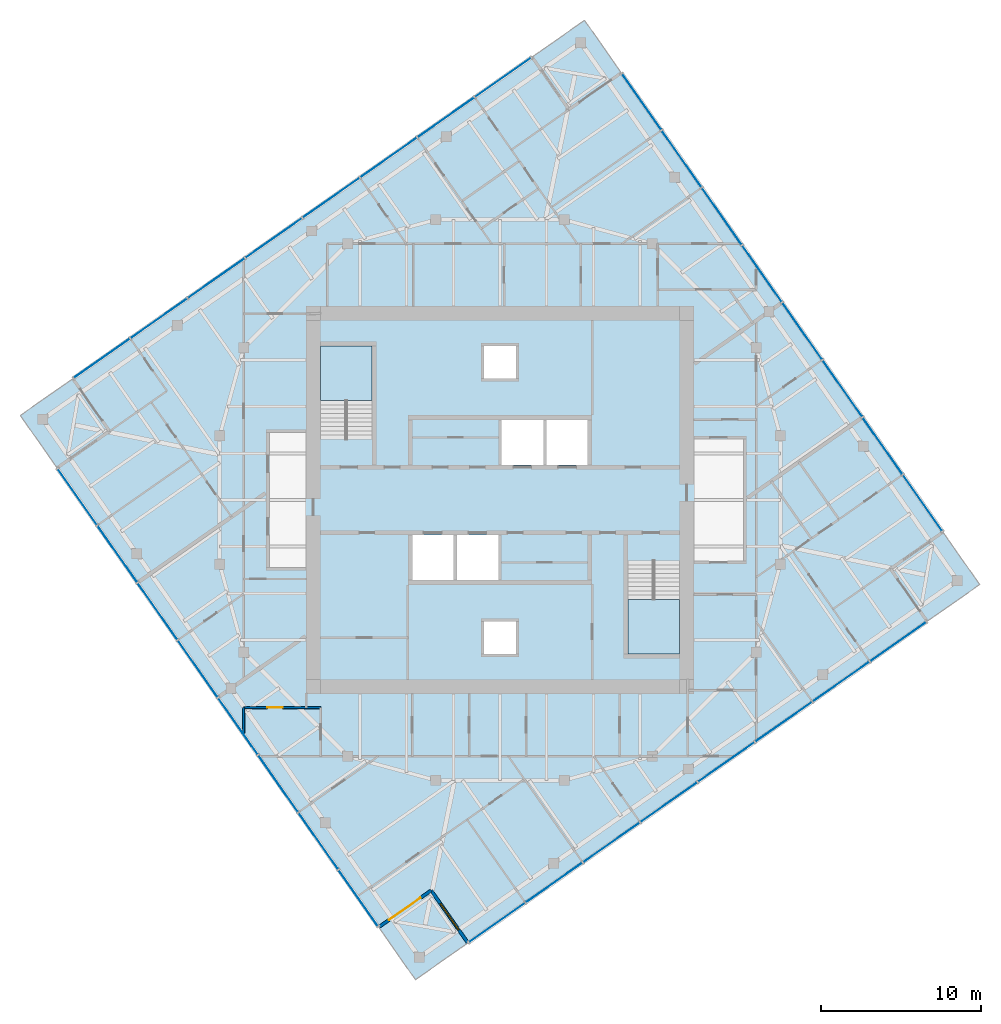
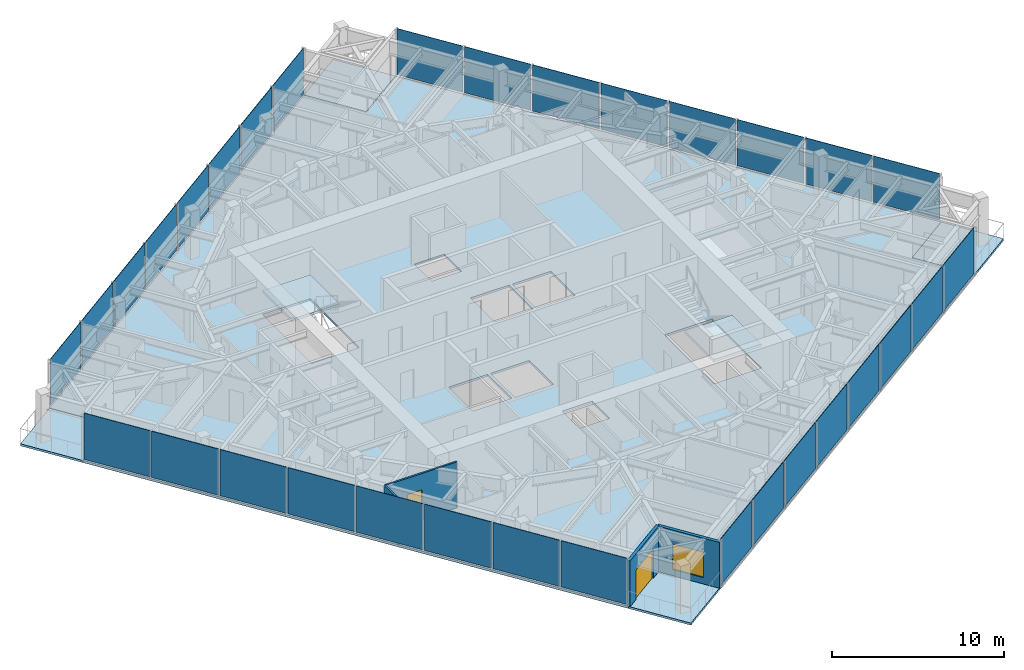
# One storey, part 6 of 12: 32 plates, 7 slabs, 4 walls, 2 doors, 1 window, 3 openings, 6 elements without a shape of their own.
"""IFC4 building model written with IfcOpenShell, lengths in metres."""

from ifc_helpers import new_model, si_unit, direction, frame, frame_2d, origin, origin_2d, place, context, subcontext, project, spatial, polyline, rectangle, outline, extrude, material, layer, layer_set, type_object, element, fill, aggregate, save


model = new_model("IFC4")

# Units and contexts
model_context = context("Model", 3, precision=1e-05, world=origin(), true_north=direction((0.0, 1.0)))
body_context = subcontext(model_context, "Body", "Model", "MODEL_VIEW")
ifc_project = project(units=[si_unit("LENGTHUNIT", "METRE"), si_unit("AREAUNIT", "SQUARE_METRE"), si_unit("VOLUMEUNIT", "CUBIC_METRE"), si_unit("PLANEANGLEUNIT", "RADIAN"), si_unit("MASSUNIT", "GRAM", prefix="KILO")], contexts=[model_context])

# Site, building, storey
site_placement = place(None, origin())
site = spatial("IfcSite", under=ifc_project, at=site_placement, CompositionType="ELEMENT")
building_placement = place(site_placement, origin())
building = spatial("IfcBuilding", under=site, at=building_placement, Name="Torsade Residences", CompositionType="ELEMENT")
storey_placement = place(building_placement, frame((0.0, 0.0, 257.39990234375)))
storey = spatial("IfcBuildingStorey", under=building, at=storey_placement, Name="L71", CompositionType="ELEMENT", Elevation=257.39990234375)

# Slab
ifc_material_1 = material(Name="Concrete 40 MPa", Category="concrete")
ifc_layer_1 = layer(ifc_material_1, 0.14990234375)
ifc_layer_set_1 = layer_set([ifc_layer_1], Name="Concrete 40 MPa")
slab_type_1 = type_object("IfcSlabType", Name="COMPOSITE FLOOR SLAB 150", PredefinedType="FLOOR", material=ifc_layer_set_1)
slab_1_placement = place(storey_placement, frame((0.0, 0.0, -0.14990234375)))
element("IfcSlab", 1, at=slab_1_placement, inside=storey, type_object=slab_type_1, Name="Floor slab L71", PredefinedType="FLOOR", context=body_context, shape_type="SweptSolid", body=[
    extrude(outline(polyline([(37.996826171875, 2.3505859375), (66.6669921875, 22.42578125), (64.372802734375, 25.702392578125), (67.6494140625, 27.996826171875), (47.57421875, 56.6669921875), (44.297607421875, 54.372802734375), (42.003173828125, 57.6494140625), (13.3330078125, 37.57421875), (15.627197265625, 34.297607421875), (12.3505859375, 32.003173828125), (32.42578125, 3.3330078125), (35.702392578125, 5.627197265625), (37.996826171875, 2.3505859375)]), holes=[polyline([(51.199951171875, 26.1201171875), (48.0, 26.1201171875), (48.0, 20.39990234375), (51.199951171875, 20.39990234375), (51.199951171875, 26.1201171875)]), polyline([(45.5, 35.0), (42.89990234375, 35.0), (42.89990234375, 32.199951171875), (45.5, 32.199951171875), (45.5, 35.0)]), polyline([(42.699951171875, 35.0), (40.10009765625, 35.0), (40.10009765625, 32.199951171875), (42.699951171875, 32.199951171875), (42.699951171875, 35.0)]), polyline([(41.0, 22.39990234375), (39.0, 22.39990234375), (39.0, 20.39990234375), (41.0, 20.39990234375), (41.0, 22.39990234375)]), polyline([(41.0, 39.60009765625), (39.0, 39.60009765625), (39.0, 37.60009765625), (41.0, 37.60009765625), (41.0, 39.60009765625)]), polyline([(39.89990234375, 27.800048828125), (37.300048828125, 27.800048828125), (37.300048828125, 25.0), (39.89990234375, 25.0), (39.89990234375, 27.800048828125)]), polyline([(37.10009765625, 27.800048828125), (34.5, 27.800048828125), (34.5, 25.0), (37.10009765625, 25.0), (37.10009765625, 27.800048828125)]), polyline([(32.0, 39.60009765625), (28.800048828125, 39.60009765625), (28.800048828125, 33.8798828125), (32.0, 33.8798828125), (32.0, 39.60009765625)])]), origin(), (0.0, 0.0, 1.0), 0.14990234375),
])

# Curtain wall, plates
ifc_material_2 = material(Name="Aluminium and glass", Category="aluminium")
curtain_wall_type = type_object("IfcCurtainWallType", Name="FRITTED GLASS CURTAIN WALL HIGH ZONE", PredefinedType="NOTDEFINED", material=ifc_material_2)
curtain_wall_1_placement = place(storey_placement, origin())
curtain_wall_1 = element("IfcCurtainWall", 2, at=curtain_wall_1_placement, inside=storey, type_object=curtain_wall_type, Name="Curtain wall L71 face 1", PredefinedType="NOTDEFINED")
ifc_material_3 = material(Name="Laminated glass", Category="glass")
ifc_layer_2 = layer(ifc_material_3, 0.031982421875)
ifc_layer_set_2 = layer_set([ifc_layer_2], Name="Laminated glass")
plate_type_1 = type_object("IfcPlateType", Name="FRITTED GLASS PANEL", PredefinedType="CURTAIN_PANEL", material=ifc_layer_set_2)
plate_1_placement = place(storey_placement, frame((39.80908203125, 3.61962890625, 0.1201171875), z_axis=(0.0, 0.0, 1.0), x_axis=(0.819152029353, 0.573576457682, 0.0)))
plate_1 = element("IfcPlate", 3, at=plate_1_placement, type_object=plate_type_1, Name="Panel 1", PredefinedType="CURTAIN_PANEL", context=body_context, shape_type="SweptSolid", body=[
    extrude(rectangle(XDim=4.22509765625, YDim=0.031982421875, at=origin_2d()), origin(), (0.0, 0.0, 1.0), 3.280029296875),
])
plate_2_placement = place(storey_placement, frame((46.956298828125, 8.6240234375, 0.1201171875), z_axis=(0.0, 0.0, 1.0), x_axis=(0.819152029353, 0.573576457682, 0.0)))
plate_2 = element("IfcPlate", 4, at=plate_2_placement, type_object=plate_type_1, Name="Panel 3", PredefinedType="CURTAIN_PANEL", context=body_context, shape_type="SweptSolid", body=[
    extrude(rectangle(XDim=4.27490234375, YDim=0.031982421875, at=origin_2d()), origin(), (0.0, 0.0, 1.0), 3.280029296875),
])
plate_3_placement = place(storey_placement, frame((50.5400390625, 11.133544921875, 0.1201171875), z_axis=(0.0, 0.0, 1.0), x_axis=(0.819152029353, 0.573576457682, 0.0)))
plate_3 = element("IfcPlate", 5, at=plate_3_placement, type_object=plate_type_1, Name="Panel 4", PredefinedType="CURTAIN_PANEL", context=body_context, shape_type="SweptSolid", body=[
    extrude(rectangle(XDim=4.27490234375, YDim=0.031982421875, at=origin_2d()), origin(), (0.0, 0.0, 1.0), 3.280029296875),
])
plate_4_placement = place(storey_placement, frame((54.123779296875, 13.642822265625, 0.1201171875), z_axis=(0.0, 0.0, 1.0), x_axis=(0.819152029353, 0.573576457682, 0.0)))
plate_4 = element("IfcPlate", 6, at=plate_4_placement, type_object=plate_type_1, Name="Panel 5", PredefinedType="CURTAIN_PANEL", context=body_context, shape_type="SweptSolid", body=[
    extrude(rectangle(XDim=4.27490234375, YDim=0.031982421875, at=origin_2d()), origin(), (0.0, 0.0, 1.0), 3.280029296875),
])
plate_5_placement = place(storey_placement, frame((61.291259765625, 18.66162109375, 0.1201171875), z_axis=(0.0, 0.0, 1.0), x_axis=(0.819152029353, 0.573576457682, 0.0)))
plate_5 = element("IfcPlate", 7, at=plate_5_placement, type_object=plate_type_1, Name="Panel 7", PredefinedType="CURTAIN_PANEL", context=body_context, shape_type="SweptSolid", body=[
    extrude(rectangle(XDim=4.27490234375, YDim=0.031982421875, at=origin_2d()), origin(), (0.0, 0.0, 1.0), 3.280029296875),
])
plate_6_placement = place(storey_placement, frame((64.854736328125, 21.15673828125, 0.1201171875), z_axis=(0.0, 0.0, 1.0), x_axis=(0.819152029353, 0.573576457682, 0.0)))
plate_6 = element("IfcPlate", 8, at=plate_6_placement, type_object=plate_type_1, Name="Panel 8", PredefinedType="CURTAIN_PANEL", context=body_context, shape_type="SweptSolid", body=[
    extrude(rectangle(XDim=4.22509765625, YDim=0.031982421875, at=origin_2d()), origin(), (0.0, 0.0, 1.0), 3.280029296875),
])

curtain_wall_2_placement = place(storey_placement, origin())
curtain_wall_2 = element("IfcCurtainWall", 9, at=curtain_wall_2_placement, inside=storey, type_object=curtain_wall_type, Name="Curtain wall L71 face 4", PredefinedType="NOTDEFINED")
plate_7_placement = place(storey_placement, frame((66.38037109375, 29.80908203125, 0.1201171875), z_axis=(0.0, 0.0, 1.0), x_axis=(-0.573576457682, 0.819152029353, 0.0)))
plate_7 = element("IfcPlate", 10, at=plate_7_placement, type_object=plate_type_1, Name="Panel 1", PredefinedType="CURTAIN_PANEL", context=body_context, shape_type="SweptSolid", body=[
    extrude(rectangle(XDim=4.22509765625, YDim=0.031982421875, at=origin_2d()), origin(), (0.0, 0.0, 1.0), 3.280029296875),
])
plate_8_placement = place(storey_placement, frame((61.3759765625, 36.956298828125, 0.1201171875), z_axis=(0.0, 0.0, 1.0), x_axis=(-0.573576457682, 0.819152029353, 0.0)))
plate_8 = element("IfcPlate", 11, at=plate_8_placement, type_object=plate_type_1, Name="Panel 3", PredefinedType="CURTAIN_PANEL", context=body_context, shape_type="SweptSolid", body=[
    extrude(rectangle(XDim=4.27490234375, YDim=0.031982421875, at=origin_2d()), origin(), (0.0, 0.0, 1.0), 3.280029296875),
])
plate_9_placement = place(storey_placement, frame((58.866455078125, 40.5400390625, 0.1201171875), z_axis=(0.0, 0.0, 1.0), x_axis=(-0.573576457682, 0.819152029353, 0.0)))
plate_9 = element("IfcPlate", 12, at=plate_9_placement, type_object=plate_type_1, Name="Panel 4", PredefinedType="CURTAIN_PANEL", context=body_context, shape_type="SweptSolid", body=[
    extrude(rectangle(XDim=4.27490234375, YDim=0.031982421875, at=origin_2d()), origin(), (0.0, 0.0, 1.0), 3.280029296875),
])
plate_10_placement = place(storey_placement, frame((56.357177734375, 44.123779296875, 0.1201171875), z_axis=(0.0, 0.0, 1.0), x_axis=(-0.573576457682, 0.819152029353, 0.0)))
plate_10 = element("IfcPlate", 13, at=plate_10_placement, type_object=plate_type_1, Name="Panel 5", PredefinedType="CURTAIN_PANEL", context=body_context, shape_type="SweptSolid", body=[
    extrude(rectangle(XDim=4.27490234375, YDim=0.031982421875, at=origin_2d()), origin(), (0.0, 0.0, 1.0), 3.280029296875),
])
plate_11_placement = place(storey_placement, frame((51.33837890625, 51.291259765625, 0.1201171875), z_axis=(0.0, 0.0, 1.0), x_axis=(-0.573576457682, 0.819152029353, 0.0)))
plate_11 = element("IfcPlate", 14, at=plate_11_placement, type_object=plate_type_1, Name="Panel 7", PredefinedType="CURTAIN_PANEL", context=body_context, shape_type="SweptSolid", body=[
    extrude(rectangle(XDim=4.27490234375, YDim=0.031982421875, at=origin_2d()), origin(), (0.0, 0.0, 1.0), 3.280029296875),
])
plate_12_placement = place(storey_placement, frame((48.84326171875, 54.854736328125, 0.1201171875), z_axis=(0.0, 0.0, 1.0), x_axis=(-0.573576457682, 0.819152029353, 0.0)))
plate_12 = element("IfcPlate", 15, at=plate_12_placement, type_object=plate_type_1, Name="Panel 8", PredefinedType="CURTAIN_PANEL", context=body_context, shape_type="SweptSolid", body=[
    extrude(rectangle(XDim=4.22509765625, YDim=0.031982421875, at=origin_2d()), origin(), (0.0, 0.0, 1.0), 3.280029296875),
])

curtain_wall_3_placement = place(storey_placement, origin())
curtain_wall_3 = element("IfcCurtainWall", 16, at=curtain_wall_3_placement, inside=storey, type_object=curtain_wall_type, Name="Curtain wall L71 face 7", PredefinedType="NOTDEFINED")
plate_13_placement = place(storey_placement, frame((40.19091796875, 56.38037109375, 0.1201171875), z_axis=(0.0, 0.0, 1.0), x_axis=(-0.819152029353, -0.573576457682, 0.0)))
plate_13 = element("IfcPlate", 17, at=plate_13_placement, type_object=plate_type_1, Name="Panel 1", PredefinedType="CURTAIN_PANEL", context=body_context, shape_type="SweptSolid", body=[
    extrude(rectangle(XDim=4.22509765625, YDim=0.031982421875, at=origin_2d()), origin(), (0.0, 0.0, 1.0), 3.280029296875),
])
plate_14_placement = place(storey_placement, frame((33.043701171875, 51.3759765625, 0.1201171875), z_axis=(0.0, 0.0, 1.0), x_axis=(-0.819152029353, -0.573576457682, 0.0)))
plate_14 = element("IfcPlate", 18, at=plate_14_placement, type_object=plate_type_1, Name="Panel 3", PredefinedType="CURTAIN_PANEL", context=body_context, shape_type="SweptSolid", body=[
    extrude(rectangle(XDim=4.27490234375, YDim=0.031982421875, at=origin_2d()), origin(), (0.0, 0.0, 1.0), 3.280029296875),
])
plate_15_placement = place(storey_placement, frame((29.4599609375, 48.866455078125, 0.1201171875), z_axis=(0.0, 0.0, 1.0), x_axis=(-0.819152029353, -0.573576457682, 0.0)))
plate_15 = element("IfcPlate", 19, at=plate_15_placement, type_object=plate_type_1, Name="Panel 4", PredefinedType="CURTAIN_PANEL", context=body_context, shape_type="SweptSolid", body=[
    extrude(rectangle(XDim=4.27490234375, YDim=0.031982421875, at=origin_2d()), origin(), (0.0, 0.0, 1.0), 3.280029296875),
])
plate_16_placement = place(storey_placement, frame((25.876220703125, 46.357177734375, 0.1201171875), z_axis=(0.0, 0.0, 1.0), x_axis=(-0.819152029353, -0.573576457682, 0.0)))
plate_16 = element("IfcPlate", 20, at=plate_16_placement, type_object=plate_type_1, Name="Panel 5", PredefinedType="CURTAIN_PANEL", context=body_context, shape_type="SweptSolid", body=[
    extrude(rectangle(XDim=4.27490234375, YDim=0.031982421875, at=origin_2d()), origin(), (0.0, 0.0, 1.0), 3.280029296875),
])
plate_17_placement = place(storey_placement, frame((18.708740234375, 41.33837890625, 0.1201171875), z_axis=(0.0, 0.0, 1.0), x_axis=(-0.819152029353, -0.573576457682, 0.0)))
plate_17 = element("IfcPlate", 21, at=plate_17_placement, type_object=plate_type_1, Name="Panel 7", PredefinedType="CURTAIN_PANEL", context=body_context, shape_type="SweptSolid", body=[
    extrude(rectangle(XDim=4.27490234375, YDim=0.031982421875, at=origin_2d()), origin(), (0.0, 0.0, 1.0), 3.280029296875),
])
plate_18_placement = place(storey_placement, frame((15.145263671875, 38.84326171875, 0.1201171875), z_axis=(0.0, 0.0, 1.0), x_axis=(-0.819152029353, -0.573576457682, 0.0)))
plate_18 = element("IfcPlate", 22, at=plate_18_placement, type_object=plate_type_1, Name="Panel 8", PredefinedType="CURTAIN_PANEL", context=body_context, shape_type="SweptSolid", body=[
    extrude(rectangle(XDim=4.22509765625, YDim=0.031982421875, at=origin_2d()), origin(), (0.0, 0.0, 1.0), 3.280029296875),
])

curtain_wall_4_placement = place(storey_placement, origin())
curtain_wall_4 = element("IfcCurtainWall", 23, at=curtain_wall_4_placement, inside=storey, type_object=curtain_wall_type, Name="Curtain wall L71 face 10", PredefinedType="NOTDEFINED")
plate_19_placement = place(storey_placement, frame((13.61962890625, 30.19091796875, 0.1201171875), z_axis=(0.0, 0.0, 1.0), x_axis=(0.573576457682, -0.819152029353, 0.0)))
plate_19 = element("IfcPlate", 24, at=plate_19_placement, type_object=plate_type_1, Name="Panel 1", PredefinedType="CURTAIN_PANEL", context=body_context, shape_type="SweptSolid", body=[
    extrude(rectangle(XDim=4.22509765625, YDim=0.031982421875, at=origin_2d()), origin(), (0.0, 0.0, 1.0), 3.280029296875),
])
plate_20_placement = place(storey_placement, frame((18.6240234375, 23.043701171875, 0.1201171875), z_axis=(0.0, 0.0, 1.0), x_axis=(0.573576457682, -0.819152029353, 0.0)))
plate_20 = element("IfcPlate", 25, at=plate_20_placement, type_object=plate_type_1, Name="Panel 3", PredefinedType="CURTAIN_PANEL", context=body_context, shape_type="SweptSolid", body=[
    extrude(rectangle(XDim=4.27490234375, YDim=0.031982421875, at=origin_2d()), origin(), (0.0, 0.0, 1.0), 3.280029296875),
])
plate_21_placement = place(storey_placement, frame((21.133544921875, 19.4599609375, 0.1201171875), z_axis=(0.0, 0.0, 1.0), x_axis=(0.573576457682, -0.819152029353, 0.0)))
plate_21 = element("IfcPlate", 26, at=plate_21_placement, type_object=plate_type_1, Name="Panel 4", PredefinedType="CURTAIN_PANEL", context=body_context, shape_type="SweptSolid", body=[
    extrude(rectangle(XDim=4.27490234375, YDim=0.031982421875, at=origin_2d()), origin(), (0.0, 0.0, 1.0), 3.280029296875),
])
plate_22_placement = place(storey_placement, frame((23.642822265625, 15.876220703125, 0.1201171875), z_axis=(0.0, 0.0, 1.0), x_axis=(0.573576457682, -0.819152029353, 0.0)))
plate_22 = element("IfcPlate", 27, at=plate_22_placement, type_object=plate_type_1, Name="Panel 5", PredefinedType="CURTAIN_PANEL", context=body_context, shape_type="SweptSolid", body=[
    extrude(rectangle(XDim=4.27490234375, YDim=0.031982421875, at=origin_2d()), origin(), (0.0, 0.0, 1.0), 3.280029296875),
])
plate_23_placement = place(storey_placement, frame((28.66162109375, 8.708740234375, 0.1201171875), z_axis=(0.0, 0.0, 1.0), x_axis=(0.573576457682, -0.819152029353, 0.0)))
plate_23 = element("IfcPlate", 28, at=plate_23_placement, type_object=plate_type_1, Name="Panel 7", PredefinedType="CURTAIN_PANEL", context=body_context, shape_type="SweptSolid", body=[
    extrude(rectangle(XDim=4.27490234375, YDim=0.031982421875, at=origin_2d()), origin(), (0.0, 0.0, 1.0), 3.280029296875),
])
plate_24_placement = place(storey_placement, frame((31.15673828125, 5.145263671875, 0.1201171875), z_axis=(0.0, 0.0, 1.0), x_axis=(0.573576457682, -0.819152029353, 0.0)))
plate_24 = element("IfcPlate", 29, at=plate_24_placement, type_object=plate_type_1, Name="Panel 8", PredefinedType="CURTAIN_PANEL", context=body_context, shape_type="SweptSolid", body=[
    extrude(rectangle(XDim=4.22509765625, YDim=0.031982421875, at=origin_2d()), origin(), (0.0, 0.0, 1.0), 3.280029296875),
])

# Plate
ifc_material_4 = material(Name="Laminated glass", Category="glass")
ifc_layer_3 = layer(ifc_material_4, 0.0400390625)
ifc_layer_set_3 = layer_set([ifc_layer_3], Name="Laminated glass")
plate_type_2 = type_object("IfcPlateType", Name="OPERABLE VENT PANEL", PredefinedType="CURTAIN_PANEL", material=ifc_layer_set_3)
plate_25_placement = place(storey_placement, frame((43.372314453125, 6.11474609375, 0.1201171875), z_axis=(0.0, 0.0, 1.0), x_axis=(0.819152029353, 0.573576457682, 0.0)))
plate_25 = element("IfcPlate", 30, at=plate_25_placement, type_object=plate_type_2, Name="Panel 2", PredefinedType="CURTAIN_PANEL", context=body_context, shape_type="SweptSolid", body=[
    extrude(rectangle(XDim=4.27490234375, YDim=0.0400390625, at=origin_2d()), origin(), (0.0, 0.0, 1.0), 3.280029296875),
])

plate_26_placement = place(storey_placement, frame((57.70751953125, 16.15234375, 0.1201171875), z_axis=(0.0, 0.0, 1.0), x_axis=(0.819152029353, 0.573576457682, 0.0)))
plate_26 = element("IfcPlate", 31, at=plate_26_placement, type_object=plate_type_2, Name="Panel 6", PredefinedType="CURTAIN_PANEL", context=body_context, shape_type="SweptSolid", body=[
    extrude(rectangle(XDim=4.27490234375, YDim=0.0400390625, at=origin_2d()), origin(), (0.0, 0.0, 1.0), 3.280029296875),
])

aggregate(curtain_wall_1, [plate_1, plate_25, plate_2, plate_3, plate_4, plate_26, plate_5, plate_6])

plate_27_placement = place(storey_placement, frame((63.88525390625, 33.372314453125, 0.1201171875), z_axis=(0.0, 0.0, 1.0), x_axis=(-0.573576457682, 0.819152029353, 0.0)))
plate_27 = element("IfcPlate", 32, at=plate_27_placement, type_object=plate_type_2, Name="Panel 2", PredefinedType="CURTAIN_PANEL", context=body_context, shape_type="SweptSolid", body=[
    extrude(rectangle(XDim=4.27490234375, YDim=0.0400390625, at=origin_2d()), origin(), (0.0, 0.0, 1.0), 3.280029296875),
])

plate_28_placement = place(storey_placement, frame((53.84765625, 47.70751953125, 0.1201171875), z_axis=(0.0, 0.0, 1.0), x_axis=(-0.573576457682, 0.819152029353, 0.0)))
plate_28 = element("IfcPlate", 33, at=plate_28_placement, type_object=plate_type_2, Name="Panel 6", PredefinedType="CURTAIN_PANEL", context=body_context, shape_type="SweptSolid", body=[
    extrude(rectangle(XDim=4.27490234375, YDim=0.0400390625, at=origin_2d()), origin(), (0.0, 0.0, 1.0), 3.280029296875),
])

aggregate(curtain_wall_2, [plate_7, plate_27, plate_8, plate_9, plate_10, plate_28, plate_11, plate_12])

plate_29_placement = place(storey_placement, frame((36.627685546875, 53.88525390625, 0.1201171875), z_axis=(0.0, 0.0, 1.0), x_axis=(-0.819152029353, -0.573576457682, 0.0)))
plate_29 = element("IfcPlate", 34, at=plate_29_placement, type_object=plate_type_2, Name="Panel 2", PredefinedType="CURTAIN_PANEL", context=body_context, shape_type="SweptSolid", body=[
    extrude(rectangle(XDim=4.27490234375, YDim=0.0400390625, at=origin_2d()), origin(), (0.0, 0.0, 1.0), 3.280029296875),
])

plate_30_placement = place(storey_placement, frame((22.29248046875, 43.84765625, 0.1201171875), z_axis=(0.0, 0.0, 1.0), x_axis=(-0.819152029353, -0.573576457682, 0.0)))
plate_30 = element("IfcPlate", 35, at=plate_30_placement, type_object=plate_type_2, Name="Panel 6", PredefinedType="CURTAIN_PANEL", context=body_context, shape_type="SweptSolid", body=[
    extrude(rectangle(XDim=4.27490234375, YDim=0.0400390625, at=origin_2d()), origin(), (0.0, 0.0, 1.0), 3.280029296875),
])

aggregate(curtain_wall_3, [plate_13, plate_29, plate_14, plate_15, plate_16, plate_30, plate_17, plate_18])

plate_31_placement = place(storey_placement, frame((16.11474609375, 26.627685546875, 0.1201171875), z_axis=(0.0, 0.0, 1.0), x_axis=(0.573576457682, -0.819152029353, 0.0)))
plate_31 = element("IfcPlate", 36, at=plate_31_placement, type_object=plate_type_2, Name="Panel 2", PredefinedType="CURTAIN_PANEL", context=body_context, shape_type="SweptSolid", body=[
    extrude(rectangle(XDim=4.27490234375, YDim=0.0400390625, at=origin_2d()), origin(), (0.0, 0.0, 1.0), 3.280029296875),
])

plate_32_placement = place(storey_placement, frame((26.15234375, 12.29248046875, 0.1201171875), z_axis=(0.0, 0.0, 1.0), x_axis=(0.573576457682, -0.819152029353, 0.0)))
plate_32 = element("IfcPlate", 37, at=plate_32_placement, type_object=plate_type_2, Name="Panel 6", PredefinedType="CURTAIN_PANEL", context=body_context, shape_type="SweptSolid", body=[
    extrude(rectangle(XDim=4.27490234375, YDim=0.0400390625, at=origin_2d()), origin(), (0.0, 0.0, 1.0), 3.280029296875),
])

aggregate(curtain_wall_4, [plate_19, plate_31, plate_20, plate_21, plate_22, plate_32, plate_23, plate_24])

# Stair, slab
ifc_material_5 = material(Name="Precast concrete 40 MPa", Category="concrete")
stair_type = type_object("IfcStairType", Name="HALF-TURN FIRE STAIR 1500x3400", PredefinedType="HALF_TURN_STAIR", material=ifc_material_5)
stair_1_placement = place(storey_placement, origin())
stair_1 = element("IfcStair", 38, at=stair_1_placement, inside=storey, type_object=stair_type, Name="Stair ST1 L71", PredefinedType="HALF_TURN_STAIR")
ifc_material_6 = material(Name="Precast concrete 40 MPa", Category="concrete")
ifc_layer_4 = layer(ifc_material_6, 0.179931640625)
ifc_layer_set_4 = layer_set([ifc_layer_4], Name="Precast concrete 40 MPa")
slab_type_2 = type_object("IfcSlabType", Name="PRECAST STAIR LANDING 180", PredefinedType="LANDING", material=ifc_layer_set_4)
slab_2_placement = place(storey_placement, frame((0.0, 0.0, 1.52001953125)))
slab_2 = element("IfcSlab", 39, at=slab_2_placement, type_object=slab_type_2, Name="ST1 landing 1", PredefinedType="LANDING", context=body_context, shape_type="SweptSolid", body=[
    extrude(outline(polyline([(28.800048828125, 36.2099609375), (32.0, 36.2099609375), (32.0, 39.60009765625), (28.800048828125, 39.60009765625), (28.800048828125, 36.2099609375)])), origin(), (0.0, 0.0, 1.0), 0.18017578125),
])
aggregate(stair_1, [slab_2])

stair_2_placement = place(storey_placement, origin())
stair_2 = element("IfcStair", 40, at=stair_2_placement, inside=storey, type_object=stair_type, Name="Stair ST2 L71", PredefinedType="HALF_TURN_STAIR")
slab_3_placement = place(storey_placement, frame((0.0, 0.0, 1.52001953125)))
slab_3 = element("IfcSlab", 41, at=slab_3_placement, type_object=slab_type_2, Name="ST2 landing 1", PredefinedType="LANDING", context=body_context, shape_type="SweptSolid", body=[
    extrude(outline(polyline([(48.0, 20.39990234375), (51.199951171875, 20.39990234375), (51.199951171875, 23.7900390625), (48.0, 23.7900390625), (48.0, 20.39990234375)])), origin(), (0.0, 0.0, 1.0), 0.18017578125),
])
aggregate(stair_2, [slab_3])

# Slabs
ifc_material_7 = material(Name="Concrete 40 MPa", Category="concrete")
ifc_layer_5 = layer(ifc_material_7, 0.14990234375)
ifc_layer_set_5 = layer_set([ifc_layer_5], Name="Concrete 40 MPa")
slab_type_3 = type_object("IfcSlabType", Name="TERRACE SLAB 150", PredefinedType="FLOOR", material=ifc_layer_set_5)
slab_4_placement = place(storey_placement, frame((0.0, 0.0, -0.14990234375)))
element("IfcSlab", 42, at=slab_4_placement, inside=storey, type_object=slab_type_3, Name="Corner terrace slab SE L71", PredefinedType="FLOOR", context=body_context, shape_type="SweptSolid", body=[
    extrude(outline(polyline([(66.6669921875, 22.42578125), (69.943603515625, 24.72021484375), (67.6494140625, 27.996826171875), (64.372802734375, 25.702392578125), (66.6669921875, 22.42578125)])), origin(), (0.0, 0.0, 1.0), 0.14990234375),
])
slab_5_placement = place(storey_placement, frame((0.0, 0.0, -0.14990234375)))
element("IfcSlab", 43, at=slab_5_placement, inside=storey, type_object=slab_type_3, Name="Corner terrace slab NE L71", PredefinedType="FLOOR", context=body_context, shape_type="SweptSolid", body=[
    extrude(outline(polyline([(44.297607421875, 54.372802734375), (47.57421875, 56.6669921875), (45.27978515625, 59.943603515625), (42.003173828125, 57.6494140625), (44.297607421875, 54.372802734375)])), origin(), (0.0, 0.0, 1.0), 0.14990234375),
])
slab_6_placement = place(storey_placement, frame((0.0, 0.0, -0.14990234375)))
element("IfcSlab", 44, at=slab_6_placement, inside=storey, type_object=slab_type_3, Name="Corner terrace slab NW L71", PredefinedType="FLOOR", context=body_context, shape_type="SweptSolid", body=[
    extrude(outline(polyline([(12.3505859375, 32.003173828125), (15.627197265625, 34.297607421875), (13.3330078125, 37.57421875), (10.056396484375, 35.27978515625), (12.3505859375, 32.003173828125)])), origin(), (0.0, 0.0, 1.0), 0.14990234375),
])
slab_7_placement = place(storey_placement, frame((0.0, 0.0, -0.14990234375)))
element("IfcSlab", 45, at=slab_7_placement, inside=storey, type_object=slab_type_3, Name="Corner terrace slab SW L71", PredefinedType="FLOOR", context=body_context, shape_type="SweptSolid", body=[
    extrude(outline(polyline([(34.72021484375, 0.056396484375), (37.996826171875, 2.3505859375), (35.702392578125, 5.627197265625), (32.42578125, 3.3330078125), (34.72021484375, 0.056396484375)])), origin(), (0.0, 0.0, 1.0), 0.14990234375),
])

# Wall, opening, door
ifc_material_8 = material(Name="Plasterboard on steel stud", Category="steel")
ifc_layer_6 = layer(ifc_material_8, 0.1201171875)
ifc_layer_set_6 = layer_set([ifc_layer_6], Name="Plasterboard on steel stud")
wall_type_1 = type_object("IfcWallType", Name="PARTITION 120", PredefinedType="PARTITIONING", material=ifc_layer_set_6)
wall_1_placement = place(storey_placement, frame((28.80712890625, 17.041259765625, 0.0), z_axis=(0.0, 0.0, 1.0), x_axis=(-1.0, 0.0, 0.0)))
wall_1 = element("IfcWall", 46, at=wall_1_placement, inside=storey, type_object=wall_type_1, Name="Partition L71", PredefinedType="PARTITIONING", context=body_context, shape_type="SweptSolid", body=[
    extrude(rectangle(XDim=4.80712890625, YDim=0.1201171875, at=frame_2d((2.403564453125, 0.0))), origin(), (0.0, 0.0, 1.0), 3.25),
])
opening_1_placement = place(wall_1_placement, frame((2.377197265625, 0.0, 0.0)))
opening_1 = element("IfcOpeningElement", 47, at=opening_1_placement, cuts=wall_1, Name="Opening D05", PredefinedType="OPENING", context=body_context, shape_type="SweptSolid", body=[
    extrude(rectangle(XDim=0.9599609375, YDim=2.10009765625, at=frame_2d((0.47998046875, 1.050048828125))), frame((0.0, 0.070068359375, 0.0), z_axis=(0.0, -1.0, 0.0), x_axis=(1.0, 0.0, 0.0)), (0.0, 0.0, 1.0), 0.14013671875),
])
ifc_material_9 = material(Name="Hollow-core timber door in a steel cavity frame", Category="steel")
door_type_1 = type_object("IfcDoorType", Name="BATHROOM CAVITY SLIDING DOOR 960", OperationType="SLIDING_TO_LEFT", PredefinedType="DOOR", material=ifc_material_9)
door_1_placement = place(opening_1_placement, origin())
door_1 = element("IfcDoor", 48, at=door_1_placement, inside=storey, type_object=door_type_1, Name="Door Dressing room to Bathroom", OperationType="SLIDING_TO_LEFT", OverallHeight=2.10009765625, OverallWidth=0.9599609375, PredefinedType="DOOR", context=body_context, shape_type="SweptSolid", body=[
    extrude(rectangle(XDim=0.9599609375, YDim=2.10009765625, at=frame_2d((0.47998046875, 1.050048828125))), frame((0.0, 0.02490234375, 0.0), z_axis=(0.0, -1.0, 0.0), x_axis=(1.0, 0.0, 0.0)), (0.0, 0.0, 1.0), 0.050048828125),
])
fill(opening_1, door_1)

# Wall
wall_2_placement = place(storey_placement, frame((24.0, 17.041259765625, 0.0), z_axis=(0.0, 0.0, 1.0), x_axis=(0.0, -1.0, 0.0)))
element("IfcWall", 49, at=wall_2_placement, inside=storey, type_object=wall_type_1, Name="Partition L71", PredefinedType="PARTITIONING", context=body_context, shape_type="SweptSolid", body=[
    extrude(rectangle(XDim=1.605224609375, YDim=0.1201171875, at=frame_2d((0.802734375, 0.0))), origin(), (0.0, 0.0, 1.0), 3.25),
])

# Wall, opening, door
ifc_material_10 = material(Name="Stone-faced precast concrete 40 MPa panel", Category="masonry")
ifc_layer_7 = layer(ifc_material_10, 0.199951171875)
ifc_layer_set_7 = layer_set([ifc_layer_7], Name="Stone-faced precast concrete 40 MPa panel")
wall_type_2 = type_object("IfcWallType", Name="TERRACE WALL 200", PredefinedType="SOLIDWALL", material=ifc_layer_set_7)
wall_3_placement = place(storey_placement, frame((32.42578125, 3.3330078125, 0.0), z_axis=(0.0, 0.0, 1.0), x_axis=(0.819165963305, 0.573556557423, 0.0)))
wall_3 = element("IfcWall", 50, at=wall_3_placement, inside=storey, type_object=wall_type_2, Name="Terrace wall L71 11", PredefinedType="SOLIDWALL", context=body_context, shape_type="SweptSolid", body=[
    extrude(rectangle(XDim=4.0, YDim=0.199951171875, at=frame_2d((2.0, 0.0))), origin(), (0.0, 0.0, 1.0), 3.25),
])
opening_2_placement = place(wall_3_placement, frame((0.800048828125, 0.0, 0.0)))
opening_2 = element("IfcOpeningElement", 51, at=opening_2_placement, cuts=wall_3, Name="Opening D10A", PredefinedType="OPENING", context=body_context, shape_type="SweptSolid", body=[
    extrude(rectangle(XDim=2.39990234375, YDim=2.10009765625, at=frame_2d((1.199951171875, 1.050048828125))), frame((0.0, 0.10986328125, 0.0), z_axis=(0.0, -1.0, 0.0), x_axis=(1.0, 0.0, 0.0)), (0.0, 0.0, 1.0), 0.219970703125),
])
ifc_material_11 = material(Name="Aluminium-framed glass door", Category="aluminium")
door_type_2 = type_object("IfcDoorType", Name="TERRACE SLIDING DOOR 2400x2100", OperationType="SLIDING_TO_LEFT", PredefinedType="DOOR", material=ifc_material_11)
door_2_placement = place(opening_2_placement, origin())
door_2 = element("IfcDoor", 52, at=door_2_placement, inside=storey, type_object=door_type_2, Name="Terrace door L71 11", OperationType="SLIDING_TO_LEFT", OverallHeight=2.10009765625, OverallWidth=2.39990234375, PredefinedType="DOOR", context=body_context, shape_type="SweptSolid", body=[
    extrude(rectangle(XDim=2.39990234375, YDim=2.10009765625, at=frame_2d((1.199951171875, 1.050048828125))), frame((0.0, 0.02490234375, 0.0), z_axis=(0.0, -1.0, 0.0), x_axis=(1.0, 0.0, 0.0)), (0.0, 0.0, 1.0), 0.050048828125),
])
fill(opening_2, door_2)

# Wall, opening, window
wall_4_placement = place(storey_placement, frame((35.702392578125, 5.627197265625, 0.0), z_axis=(0.0, 0.0, 1.0), x_axis=(0.573597512525, -0.819137286189, 0.0)))
wall_4 = element("IfcWall", 53, at=wall_4_placement, inside=storey, type_object=wall_type_2, Name="Terrace wall L71 12", PredefinedType="SOLIDWALL", context=body_context, shape_type="SweptSolid", body=[
    extrude(rectangle(XDim=4.0, YDim=0.199951171875, at=frame_2d((2.0, 0.0))), origin(), (0.0, 0.0, 1.0), 3.25),
])
opening_3_placement = place(wall_4_placement, frame((1.0, 0.0, 0.449951171875)))
opening_3 = element("IfcOpeningElement", 54, at=opening_3_placement, cuts=wall_4, Name="Opening W1B", PredefinedType="OPENING", context=body_context, shape_type="SweptSolid", body=[
    extrude(rectangle(XDim=2.0, YDim=1.800048828125, at=frame_2d((1.0, 0.89990234375))), frame((0.0, 0.10986328125, 0.0), z_axis=(0.0, -1.0, 0.0), x_axis=(1.0, 0.0, 0.0)), (0.0, 0.0, 1.0), 0.219970703125),
])
ifc_material_12 = material(Name="Aluminium-framed glass window", Category="aluminium")
window_type = type_object("IfcWindowType", Name="TERRACE WINDOW 2000x1800", PartitioningType="SINGLE_PANEL", PredefinedType="WINDOW", material=ifc_material_12)
window_placement = place(opening_3_placement, origin())
window = element("IfcWindow", 55, at=window_placement, inside=storey, type_object=window_type, Name="Terrace window L71 12", OverallHeight=1.800048828125, OverallWidth=2.0, PartitioningType="SINGLE_PANEL", PredefinedType="WINDOW", context=body_context, shape_type="SweptSolid", body=[
    extrude(rectangle(XDim=2.0, YDim=1.800048828125, at=frame_2d((1.0, 0.89990234375))), frame((0.0, 0.030029296875, 0.0), z_axis=(0.0, -1.0, 0.0), x_axis=(1.0, 0.0, 0.0)), (0.0, 0.0, 1.0), 0.06005859375),
])
fill(opening_3, window)

save(model, "model.ifc")
